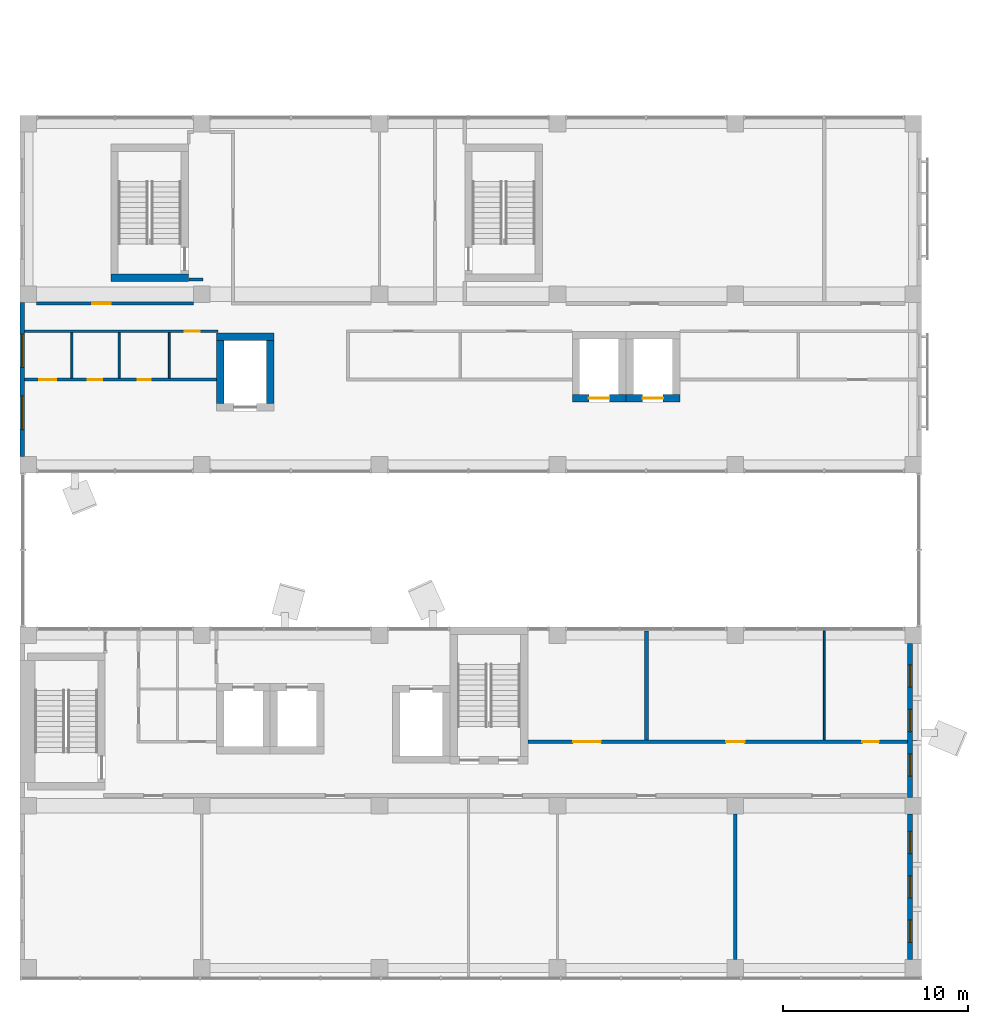
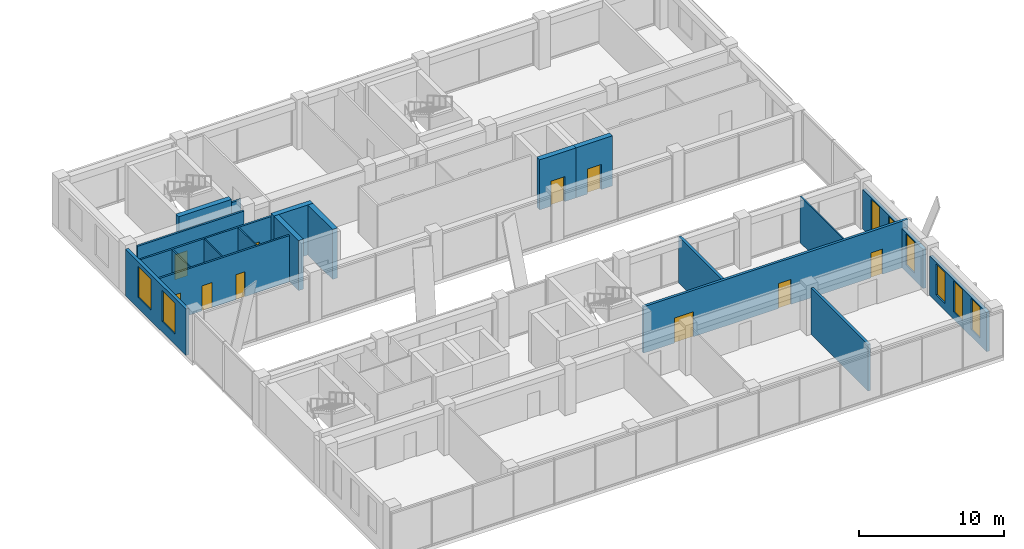
# One storey, part 28 of 36: 20 walls, 10 doors, 8 windows, 18 openings.
"""IFC4 building model written with IfcOpenShell, lengths in metres."""

from ifc_helpers import new_model, si_unit, direction, frame, frame_2d, origin, place, context, subcontext, project, spatial, rectangle, extrude, material, layer, layer_set, layer_usage, type_object, element, fill, save


model = new_model("IFC4")

# Units and contexts
model_context = context("Model", 3, precision=1e-05, world=origin(), true_north=direction((0.0, 1.0)))
body_context = subcontext(model_context, "Body", "Model", "MODEL_VIEW")
ifc_project = project(units=[si_unit("LENGTHUNIT", "METRE"), si_unit("AREAUNIT", "SQUARE_METRE"), si_unit("VOLUMEUNIT", "CUBIC_METRE"), si_unit("PLANEANGLEUNIT", "RADIAN"), si_unit("MASSUNIT", "GRAM", prefix="KILO")], contexts=[model_context])

# Site, building, storey
site_placement = place(None, origin())
site = spatial("IfcSite", under=ifc_project, at=site_placement, CompositionType="ELEMENT")
building_placement = place(site_placement, origin())
building = spatial("IfcBuilding", under=site, at=building_placement, Name="Nzadi Deep Aquarium and Research Tower", CompositionType="ELEMENT")
storey_placement = place(building_placement, frame((0.0, 0.0, 44.5)))
storey = spatial("IfcBuildingStorey", under=building, at=storey_placement, Name="L08", CompositionType="ELEMENT", Elevation=44.5)

# Wall, openings, windows
ifc_material_1 = material(Name="Concrete C35/45", Category="concrete")
ifc_layer_1 = layer(ifc_material_1, 0.14990234375, Category="cladding")
ifc_material_2 = material(Name="Mineral wool insulation")
ifc_layer_2 = layer(ifc_material_2, 0.070068359375, Category="insulation")
ifc_material_3 = material(Name="Gypsum board lining")
ifc_layer_3 = layer(ifc_material_3, 0.030029296875, Category="lining")
ifc_layer_set_1 = layer_set([ifc_layer_1, ifc_layer_2, ifc_layer_3], Name="Concrete C35/45, Mineral wool insulation, Gypsum board lining")
ifc_layer_usage_1 = layer_usage(ifc_layer_set_1, "AXIS2", "POSITIVE", -0.125)
wall_type_1 = type_object("IfcWallType", Name="End wall board-formed concrete 250, 3.30 m high", PredefinedType="ELEMENTEDWALL", material=ifc_layer_set_1)
wall_1_placement = place(storey_placement, frame((47.824951171875, 9.64990234375, 0.0), z_axis=(0.0, 0.0, 1.0), x_axis=(0.0, 1.0, 0.0)))
wall_1 = element("IfcWall", 1, at=wall_1_placement, inside=storey, type_object=wall_type_1, material=ifc_layer_usage_1, Name="End wall blade A east L08", PredefinedType="ELEMENTEDWALL", context=body_context, shape_type="SweptSolid", body=[
    extrude(rectangle(XDim=8.300048828125, YDim=0.25, at=frame_2d((4.14990234375, 0.0))), origin(), (0.0, 0.0, 1.0), 3.300048828125),
])
opening_1_placement = place(wall_1_placement, frame((1.14990234375, 0.0, 0.60009765625)))
opening_1 = element("IfcOpeningElement", 2, at=opening_1_placement, cuts=wall_1, Name="Opening WN05", PredefinedType="OPENING", context=body_context, shape_type="SweptSolid", body=[
    extrude(rectangle(XDim=1.199951171875, YDim=2.60009765625, at=frame_2d((0.60009765625, 1.300048828125))), frame((0.0, 0.135009765625, 0.0), z_axis=(0.0, -1.0, 0.0), x_axis=(1.0, 0.0, 0.0)), (0.0, 0.0, 1.0), 0.27001953125),
])
opening_2_placement = place(wall_1_placement, frame((3.550048828125, 0.0, 0.60009765625)))
opening_2 = element("IfcOpeningElement", 3, at=opening_2_placement, cuts=wall_1, Name="Opening WN05", PredefinedType="OPENING", context=body_context, shape_type="SweptSolid", body=[
    extrude(rectangle(XDim=1.199951171875, YDim=2.60009765625, at=frame_2d((0.60009765625, 1.300048828125))), frame((0.0, 0.135009765625, 0.0), z_axis=(0.0, -1.0, 0.0), x_axis=(1.0, 0.0, 0.0)), (0.0, 0.0, 1.0), 0.27001953125),
])
opening_3_placement = place(wall_1_placement, frame((5.949951171875, 0.0, 0.60009765625)))
opening_3 = element("IfcOpeningElement", 4, at=opening_3_placement, cuts=wall_1, Name="Opening WN05", PredefinedType="OPENING", context=body_context, shape_type="SweptSolid", body=[
    extrude(rectangle(XDim=1.199951171875, YDim=2.60009765625, at=frame_2d((0.60009765625, 1.300048828125))), frame((0.0, 0.135009765625, 0.0), z_axis=(0.0, -1.0, 0.0), x_axis=(1.0, 0.0, 0.0)), (0.0, 0.0, 1.0), 0.27001953125),
])
ifc_material_4 = material(Name="Aluminium window, sage tint glazing", Category="aluminium")
window_type_1 = type_object("IfcWindowType", Name="Slot window 1200x2600 sill 600", PartitioningType="SINGLE_PANEL", PredefinedType="WINDOW", material=ifc_material_4)
window_1_placement = place(opening_1_placement, origin())
window_1 = element("IfcWindow", 5, at=window_1_placement, inside=storey, type_object=window_type_1, Name="Slot window L08 AE", OverallHeight=2.60009765625, OverallWidth=1.199951171875, PartitioningType="SINGLE_PANEL", PredefinedType="WINDOW", context=body_context, shape_type="SweptSolid", body=[
    extrude(rectangle(XDim=1.199951171875, YDim=2.60009765625, at=frame_2d((0.60009765625, 1.300048828125))), frame((0.0, 0.030029296875, 0.0), z_axis=(0.0, -1.0, 0.0), x_axis=(1.0, 0.0, 0.0)), (0.0, 0.0, 1.0), 0.06005859375),
])
fill(opening_1, window_1)
window_2_placement = place(opening_2_placement, origin())
window_2 = element("IfcWindow", 6, at=window_2_placement, inside=storey, type_object=window_type_1, Name="Slot window L08 AE", OverallHeight=2.60009765625, OverallWidth=1.199951171875, PartitioningType="SINGLE_PANEL", PredefinedType="WINDOW", context=body_context, shape_type="SweptSolid", body=[
    extrude(rectangle(XDim=1.199951171875, YDim=2.60009765625, at=frame_2d((0.60009765625, 1.300048828125))), frame((0.0, 0.030029296875, 0.0), z_axis=(0.0, -1.0, 0.0), x_axis=(1.0, 0.0, 0.0)), (0.0, 0.0, 1.0), 0.06005859375),
])
fill(opening_2, window_2)
window_3_placement = place(opening_3_placement, origin())
window_3 = element("IfcWindow", 7, at=window_3_placement, inside=storey, type_object=window_type_1, Name="Slot window L08 AE", OverallHeight=2.60009765625, OverallWidth=1.199951171875, PartitioningType="SINGLE_PANEL", PredefinedType="WINDOW", context=body_context, shape_type="SweptSolid", body=[
    extrude(rectangle(XDim=1.199951171875, YDim=2.60009765625, at=frame_2d((0.60009765625, 1.300048828125))), frame((0.0, 0.030029296875, 0.0), z_axis=(0.0, -1.0, 0.0), x_axis=(1.0, 0.0, 0.0)), (0.0, 0.0, 1.0), 0.06005859375),
])
fill(opening_3, window_3)

ifc_material_5 = material(Name="Graphite aluminium shingle", Category="aluminium")
ifc_layer_4 = layer(ifc_material_5, 0.050048828125, Category="cladding")
ifc_layer_5 = layer(ifc_material_1, 0.10009765625, Category="cladding")
ifc_layer_6 = layer(ifc_material_2, 0.070068359375, Category="insulation")
ifc_layer_7 = layer(ifc_material_3, 0.030029296875, Category="lining")
ifc_layer_set_2 = layer_set([ifc_layer_4, ifc_layer_5, ifc_layer_6, ifc_layer_7], Name="Graphite aluminium shingle, Concrete C35/45, Mineral wool insulation, Gypsum board lining")
ifc_layer_usage_2 = layer_usage(ifc_layer_set_2, "AXIS2", "POSITIVE", -0.125)
wall_type_2 = type_object("IfcWallType", Name="End wall shingle over board-formed concrete 250", PredefinedType="ELEMENTEDWALL", material=ifc_layer_set_2)
wall_2_placement = place(storey_placement, frame((-0.074462890625, 36.35009765625, 0.0), z_axis=(0.0, 0.0, 1.0), x_axis=(0.0, -1.0, 0.0)))
wall_2 = element("IfcWall", 8, at=wall_2_placement, inside=storey, type_object=wall_type_2, material=ifc_layer_usage_2, Name="End wall blade B west L08", PredefinedType="ELEMENTEDWALL", context=body_context, shape_type="SweptSolid", body=[
    extrude(rectangle(XDim=8.300048828125, YDim=0.25, at=frame_2d((4.14990234375, 0.0))), origin(), (0.0, 0.0, 1.0), 3.89990234375),
])
opening_4_placement = place(wall_2_placement, frame((5.050048828125, 0.0, 0.89990234375)))
opening_4 = element("IfcOpeningElement", 9, at=opening_4_placement, cuts=wall_2, Name="Opening WN01", PredefinedType="OPENING", context=body_context, shape_type="SweptSolid", body=[
    extrude(rectangle(XDim=1.800048828125, YDim=2.60009765625, at=frame_2d((0.89990234375, 1.300048828125))), frame((0.0, 0.135009765625, 0.0), z_axis=(0.0, -1.0, 0.0), x_axis=(1.0, 0.0, 0.0)), (0.0, 0.0, 1.0), 0.27001953125),
])
opening_5_placement = place(wall_2_placement, frame((1.699951171875, 0.0, 0.89990234375)))
opening_5 = element("IfcOpeningElement", 10, at=opening_5_placement, cuts=wall_2, Name="Opening WN01", PredefinedType="OPENING", context=body_context, shape_type="SweptSolid", body=[
    extrude(rectangle(XDim=1.800048828125, YDim=2.60009765625, at=frame_2d((0.89990234375, 1.300048828125))), frame((0.0, 0.135009765625, 0.0), z_axis=(0.0, -1.0, 0.0), x_axis=(1.0, 0.0, 0.0)), (0.0, 0.0, 1.0), 0.27001953125),
])
ifc_material_6 = material(Name="Aluminium window, sage tint glazing", Category="aluminium")
window_type_2 = type_object("IfcWindowType", Name="Slot window 1800x2600 sill 900", PartitioningType="SINGLE_PANEL", PredefinedType="WINDOW", material=ifc_material_6)
window_4_placement = place(opening_4_placement, origin())
window_4 = element("IfcWindow", 11, at=window_4_placement, inside=storey, type_object=window_type_2, Name="Slot window L08 BW", OverallHeight=2.60009765625, OverallWidth=1.800048828125, PartitioningType="SINGLE_PANEL", PredefinedType="WINDOW", context=body_context, shape_type="SweptSolid", body=[
    extrude(rectangle(XDim=1.800048828125, YDim=2.60009765625, at=frame_2d((0.89990234375, 1.300048828125))), frame((0.0, 0.030029296875, 0.0), z_axis=(0.0, -1.0, 0.0), x_axis=(1.0, 0.0, 0.0)), (0.0, 0.0, 1.0), 0.06005859375),
])
fill(opening_4, window_4)
window_5_placement = place(opening_5_placement, origin())
window_5 = element("IfcWindow", 12, at=window_5_placement, inside=storey, type_object=window_type_2, Name="Slot window L08 BW", OverallHeight=2.60009765625, OverallWidth=1.800048828125, PartitioningType="SINGLE_PANEL", PredefinedType="WINDOW", context=body_context, shape_type="SweptSolid", body=[
    extrude(rectangle(XDim=1.800048828125, YDim=2.60009765625, at=frame_2d((0.89990234375, 1.300048828125))), frame((0.0, 0.030029296875, 0.0), z_axis=(0.0, -1.0, 0.0), x_axis=(1.0, 0.0, 0.0)), (0.0, 0.0, 1.0), 0.06005859375),
])
fill(opening_5, window_5)

ifc_layer_8 = layer(ifc_material_5, 0.050048828125, Category="cladding")
ifc_layer_9 = layer(ifc_material_1, 0.10009765625, Category="cladding")
ifc_layer_10 = layer(ifc_material_2, 0.070068359375, Category="insulation")
ifc_layer_11 = layer(ifc_material_3, 0.030029296875, Category="lining")
ifc_layer_set_3 = layer_set([ifc_layer_8, ifc_layer_9, ifc_layer_10, ifc_layer_11], Name="Graphite aluminium shingle, Concrete C35/45, Mineral wool insulation, Gypsum board lining")
ifc_layer_usage_3 = layer_usage(ifc_layer_set_3, "AXIS2", "POSITIVE", -0.125)
wall_type_3 = type_object("IfcWallType", Name="End wall shingle over board-formed concrete 250, 3.30 m high", PredefinedType="ELEMENTEDWALL", material=ifc_layer_set_3)
wall_3_placement = place(storey_placement, frame((47.824951171875, 0.89990234375, 0.0), z_axis=(0.0, 0.0, 1.0), x_axis=(0.0, 1.0, 0.0)))
wall_3 = element("IfcWall", 13, at=wall_3_placement, inside=storey, type_object=wall_type_3, material=ifc_layer_usage_3, Name="End wall blade A east L08", PredefinedType="ELEMENTEDWALL", context=body_context, shape_type="SweptSolid", body=[
    extrude(rectangle(XDim=7.85009765625, YDim=0.25, at=frame_2d((3.925048828125, 0.0))), origin(), (0.0, 0.0, 1.0), 3.300048828125),
])
opening_6_placement = place(wall_3_placement, frame((0.925048828125, 0.0, 0.60009765625)))
opening_6 = element("IfcOpeningElement", 14, at=opening_6_placement, cuts=wall_3, Name="Opening WN05", PredefinedType="OPENING", context=body_context, shape_type="SweptSolid", body=[
    extrude(rectangle(XDim=1.199951171875, YDim=2.60009765625, at=frame_2d((0.60009765625, 1.300048828125))), frame((0.0, 0.135009765625, 0.0), z_axis=(0.0, -1.0, 0.0), x_axis=(1.0, 0.0, 0.0)), (0.0, 0.0, 1.0), 0.27001953125),
])
opening_7_placement = place(wall_3_placement, frame((3.324951171875, 0.0, 0.60009765625)))
opening_7 = element("IfcOpeningElement", 15, at=opening_7_placement, cuts=wall_3, Name="Opening WN05", PredefinedType="OPENING", context=body_context, shape_type="SweptSolid", body=[
    extrude(rectangle(XDim=1.199951171875, YDim=2.60009765625, at=frame_2d((0.60009765625, 1.300048828125))), frame((0.0, 0.135009765625, 0.0), z_axis=(0.0, -1.0, 0.0), x_axis=(1.0, 0.0, 0.0)), (0.0, 0.0, 1.0), 0.27001953125),
])
opening_8_placement = place(wall_3_placement, frame((5.72509765625, 0.0, 0.60009765625)))
opening_8 = element("IfcOpeningElement", 16, at=opening_8_placement, cuts=wall_3, Name="Opening WN05", PredefinedType="OPENING", context=body_context, shape_type="SweptSolid", body=[
    extrude(rectangle(XDim=1.199951171875, YDim=2.60009765625, at=frame_2d((0.60009765625, 1.300048828125))), frame((0.0, 0.135009765625, 0.0), z_axis=(0.0, -1.0, 0.0), x_axis=(1.0, 0.0, 0.0)), (0.0, 0.0, 1.0), 0.27001953125),
])
window_6_placement = place(opening_6_placement, origin())
window_6 = element("IfcWindow", 17, at=window_6_placement, inside=storey, type_object=window_type_1, Name="Slot window L08 AE", OverallHeight=2.60009765625, OverallWidth=1.199951171875, PartitioningType="SINGLE_PANEL", PredefinedType="WINDOW", context=body_context, shape_type="SweptSolid", body=[
    extrude(rectangle(XDim=1.199951171875, YDim=2.60009765625, at=frame_2d((0.60009765625, 1.300048828125))), frame((0.0, 0.030029296875, 0.0), z_axis=(0.0, -1.0, 0.0), x_axis=(1.0, 0.0, 0.0)), (0.0, 0.0, 1.0), 0.06005859375),
])
fill(opening_6, window_6)
window_7_placement = place(opening_7_placement, origin())
window_7 = element("IfcWindow", 18, at=window_7_placement, inside=storey, type_object=window_type_1, Name="Slot window L08 AE", OverallHeight=2.60009765625, OverallWidth=1.199951171875, PartitioningType="SINGLE_PANEL", PredefinedType="WINDOW", context=body_context, shape_type="SweptSolid", body=[
    extrude(rectangle(XDim=1.199951171875, YDim=2.60009765625, at=frame_2d((0.60009765625, 1.300048828125))), frame((0.0, 0.030029296875, 0.0), z_axis=(0.0, -1.0, 0.0), x_axis=(1.0, 0.0, 0.0)), (0.0, 0.0, 1.0), 0.06005859375),
])
fill(opening_7, window_7)
window_8_placement = place(opening_8_placement, origin())
window_8 = element("IfcWindow", 19, at=window_8_placement, inside=storey, type_object=window_type_1, Name="Slot window L08 AE", OverallHeight=2.60009765625, OverallWidth=1.199951171875, PartitioningType="SINGLE_PANEL", PredefinedType="WINDOW", context=body_context, shape_type="SweptSolid", body=[
    extrude(rectangle(XDim=1.199951171875, YDim=2.60009765625, at=frame_2d((0.60009765625, 1.300048828125))), frame((0.0, 0.030029296875, 0.0), z_axis=(0.0, -1.0, 0.0), x_axis=(1.0, 0.0, 0.0)), (0.0, 0.0, 1.0), 0.06005859375),
])
fill(opening_8, window_8)

# Walls
ifc_material_7 = material(Name="Blockwork masonry", Category="masonry")
ifc_layer_12 = layer(ifc_material_7, 0.10009765625)
ifc_layer_set_4 = layer_set([ifc_layer_12], Name="Blockwork masonry")
wall_type_4 = type_object("IfcWallType", Name="Partition 100 EI 30", PredefinedType="PARTITIONING", material=ifc_layer_set_4)
for number, where, z_axis, x_axis, name in (
    (20, (2.60009765625, 32.27490234375, 0.0), (0.0, 0.0, 1.0), (0.0, 1.0, 0.0), "W-Z1-L08-P004"),
    (21, (5.14990234375, 32.27490234375, 0.0), (0.0, 0.0, 1.0), (0.0, 1.0, 0.0), "W-Z1-L08-P007"),
    (22, (7.85009765625, 32.27490234375, 0.0), (0.0, 0.0, 1.0), (0.0, 1.0, 0.0), "W-Z1-L08-P011"),
):
    element("IfcWall", number, at=place(storey_placement, frame(where, z_axis=z_axis, x_axis=x_axis)), inside=storey, type_object=wall_type_4, Name=name, PredefinedType="PARTITIONING", context=body_context, shape_type="SweptSolid", body=[
        extrude(rectangle(XDim=2.4501953125, YDim=0.10009765625, at=frame_2d((1.22509765625, 0.0))), origin(), (0.0, 0.0, 1.0), 3.89990234375),
    ])
wall_4_placement = place(storey_placement, frame((43.199951171875, 12.75, 0.0), z_axis=(0.0, 0.0, 1.0), x_axis=(0.0, 1.0, 0.0)))
element("IfcWall", 23, at=wall_4_placement, inside=storey, type_object=wall_type_4, Name="W-Z1-L08-P043", PredefinedType="PARTITIONING", context=body_context, shape_type="SweptSolid", body=[
    extrude(rectangle(XDim=5.89404296875, YDim=0.10009765625, at=frame_2d((2.947021484375, 0.0))), origin(), (0.0, 0.0, 1.0), 3.89990234375),
])

# Wall, openings, doors
ifc_material_8 = material(Name="Blockwork masonry", Category="masonry")
ifc_layer_13 = layer(ifc_material_8, 0.14990234375)
ifc_layer_set_5 = layer_set([ifc_layer_13], Name="Blockwork masonry")
wall_type_5 = type_object("IfcWallType", Name="Partition 150 EI 60", PredefinedType="PARTITIONING", material=ifc_layer_set_5)
wall_5_placement = place(storey_placement, frame((0.055908203125, 32.199951171875, 0.0), z_axis=(0.0, 0.0, 1.0), x_axis=(1.0, 0.0, 0.0)))
wall_5 = element("IfcWall", 24, at=wall_5_placement, inside=storey, type_object=wall_type_5, Name="W-Z1-L08-P001", PredefinedType="PARTITIONING", context=body_context, shape_type="SweptSolid", body=[
    extrude(rectangle(XDim=10.338134765625, YDim=0.14990234375, at=frame_2d((5.1689453125, 0.0))), origin(), (0.0, 0.0, 1.0), 3.89990234375),
])
opening_9_placement = place(wall_5_placement, frame((0.7939453125, 0.0, 0.0)))
opening_9 = element("IfcOpeningElement", 25, at=opening_9_placement, cuts=wall_5, Name="Opening D091014", PredefinedType="OPENING", context=body_context, shape_type="SweptSolid", body=[
    extrude(rectangle(XDim=0.89990234375, YDim=2.10009765625, at=frame_2d((0.449951171875, 1.050048828125))), frame((0.0, 0.0849609375, 0.0), z_axis=(0.0, -1.0, 0.0), x_axis=(1.0, 0.0, 0.0)), (0.0, 0.0, 1.0), 0.169921875),
])
opening_10_placement = place(wall_5_placement, frame((3.39404296875, 0.0, 0.0)))
opening_10 = element("IfcOpeningElement", 26, at=opening_10_placement, cuts=wall_5, Name="Opening D091015", PredefinedType="OPENING", context=body_context, shape_type="SweptSolid", body=[
    extrude(rectangle(XDim=0.800048828125, YDim=2.10009765625, at=frame_2d((0.39990234375, 1.050048828125))), frame((0.0, 0.0849609375, 0.0), z_axis=(0.0, -1.0, 0.0), x_axis=(1.0, 0.0, 0.0)), (0.0, 0.0, 1.0), 0.169921875),
])
opening_11_placement = place(wall_5_placement, frame((6.093994140625, 0.0, 0.0)))
opening_11 = element("IfcOpeningElement", 27, at=opening_11_placement, cuts=wall_5, Name="Opening D091016", PredefinedType="OPENING", context=body_context, shape_type="SweptSolid", body=[
    extrude(rectangle(XDim=0.699951171875, YDim=2.10009765625, at=frame_2d((0.35009765625, 1.050048828125))), frame((0.0, 0.0849609375, 0.0), z_axis=(0.0, -1.0, 0.0), x_axis=(1.0, 0.0, 0.0)), (0.0, 0.0, 1.0), 0.169921875),
])
ifc_material_9 = material(Name="Fire-rated steel door", Category="steel")
ifc_layer_14 = layer(ifc_material_9, 0.050048828125)
ifc_layer_set_6 = layer_set([ifc_layer_14], Name="Fire-rated steel door")
door_type_1 = type_object("IfcDoorType", Name="Door 700x2100 EI 60 single", OperationType="SINGLE_SWING_LEFT", PredefinedType="DOOR", material=ifc_layer_set_6)
door_1_placement = place(opening_11_placement, origin())
door_1 = element("IfcDoor", 28, at=door_1_placement, inside=storey, type_object=door_type_1, Name="D091016", OperationType="SINGLE_SWING_RIGHT", OverallHeight=2.10009765625, OverallWidth=0.699951171875, PredefinedType="DOOR", context=body_context, shape_type="SweptSolid", body=[
    extrude(rectangle(XDim=0.699951171875, YDim=2.10009765625, at=frame_2d((0.35009765625, 1.050048828125))), frame((0.0, 0.02490234375, 0.0), z_axis=(0.0, -1.0, 0.0), x_axis=(1.0, 0.0, 0.0)), (0.0, 0.0, 1.0), 0.050048828125),
])
fill(opening_11, door_1)
ifc_material_10 = material(Name="Fire-rated steel door", Category="steel")
ifc_layer_15 = layer(ifc_material_10, 0.050048828125)
ifc_layer_set_7 = layer_set([ifc_layer_15], Name="Fire-rated steel door")
door_type_2 = type_object("IfcDoorType", Name="Door 800x2100 EI 60 single", OperationType="SINGLE_SWING_LEFT", PredefinedType="DOOR", material=ifc_layer_set_7)
door_2_placement = place(opening_10_placement, origin())
door_2 = element("IfcDoor", 29, at=door_2_placement, inside=storey, type_object=door_type_2, Name="D091015", OperationType="SINGLE_SWING_RIGHT", OverallHeight=2.10009765625, OverallWidth=0.800048828125, PredefinedType="DOOR", context=body_context, shape_type="SweptSolid", body=[
    extrude(rectangle(XDim=0.800048828125, YDim=2.10009765625, at=frame_2d((0.39990234375, 1.050048828125))), frame((0.0, 0.02490234375, 0.0), z_axis=(0.0, -1.0, 0.0), x_axis=(1.0, 0.0, 0.0)), (0.0, 0.0, 1.0), 0.050048828125),
])
fill(opening_10, door_2)
ifc_material_11 = material(Name="Fire-rated steel door", Category="steel")
ifc_layer_16 = layer(ifc_material_11, 0.050048828125)
ifc_layer_set_8 = layer_set([ifc_layer_16], Name="Fire-rated steel door")
door_type_3 = type_object("IfcDoorType", Name="Door 900x2100 EI 60 single", OperationType="SINGLE_SWING_LEFT", PredefinedType="DOOR", material=ifc_layer_set_8)
door_3_placement = place(opening_9_placement, origin())
door_3 = element("IfcDoor", 30, at=door_3_placement, inside=storey, type_object=door_type_3, Name="D091014", OperationType="SINGLE_SWING_RIGHT", OverallHeight=2.10009765625, OverallWidth=0.89990234375, PredefinedType="DOOR", context=body_context, shape_type="SweptSolid", body=[
    extrude(rectangle(XDim=0.89990234375, YDim=2.10009765625, at=frame_2d((0.449951171875, 1.050048828125))), frame((0.0, 0.02490234375, 0.0), z_axis=(0.0, -1.0, 0.0), x_axis=(1.0, 0.0, 0.0)), (0.0, 0.0, 1.0), 0.050048828125),
])
fill(opening_9, door_3)

# Wall, opening, door
wall_6_placement = place(storey_placement, frame((0.055908203125, 34.800048828125, 0.0), z_axis=(0.0, 0.0, 1.0), x_axis=(1.0, 0.0, 0.0)))
wall_6 = element("IfcWall", 31, at=wall_6_placement, inside=storey, type_object=wall_type_5, Name="W-Z1-L08-P002", PredefinedType="PARTITIONING", context=body_context, shape_type="SweptSolid", body=[
    extrude(rectangle(XDim=10.419189453125, YDim=0.14990234375, at=frame_2d((5.20947265625, 0.0))), origin(), (0.0, 0.0, 1.0), 3.89990234375),
])
opening_12_placement = place(wall_6_placement, frame((8.64404296875, 0.0, 0.0)))
opening_12 = element("IfcOpeningElement", 32, at=opening_12_placement, cuts=wall_6, Name="Opening D091017", PredefinedType="OPENING", context=body_context, shape_type="SweptSolid", body=[
    extrude(rectangle(XDim=0.800048828125, YDim=2.10009765625, at=frame_2d((0.39990234375, 1.050048828125))), frame((0.0, 0.0849609375, 0.0), z_axis=(0.0, -1.0, 0.0), x_axis=(1.0, 0.0, 0.0)), (0.0, 0.0, 1.0), 0.169921875),
])
door_4_placement = place(opening_12_placement, origin())
door_4 = element("IfcDoor", 33, at=door_4_placement, inside=storey, type_object=door_type_2, Name="D091017", OperationType="SINGLE_SWING_LEFT", OverallHeight=2.10009765625, OverallWidth=0.800048828125, PredefinedType="DOOR", context=body_context, shape_type="SweptSolid", body=[
    extrude(rectangle(XDim=0.800048828125, YDim=2.10009765625, at=frame_2d((0.39990234375, 1.050048828125))), frame((0.0, 0.02490234375, 0.0), z_axis=(0.0, -1.0, 0.0), x_axis=(1.0, 0.0, 0.0)), (0.0, 0.0, 1.0), 0.050048828125),
])
fill(opening_12, door_4)

wall_7_placement = place(storey_placement, frame((0.699951171875, 36.300048828125, 0.0), z_axis=(0.0, 0.0, 1.0), x_axis=(1.0, 0.0, 0.0)))
wall_7 = element("IfcWall", 34, at=wall_7_placement, inside=storey, type_object=wall_type_5, Name="W-Z1-L08-P003", PredefinedType="PARTITIONING", context=body_context, shape_type="SweptSolid", body=[
    extrude(rectangle(XDim=8.449951171875, YDim=0.14990234375, at=frame_2d((4.22509765625, 0.0))), origin(), (0.0, 0.0, 1.0), 3.89990234375),
])
opening_13_placement = place(wall_7_placement, frame((3.0, 0.0, 0.0)))
opening_13 = element("IfcOpeningElement", 35, at=opening_13_placement, cuts=wall_7, Name="Opening D091022", PredefinedType="OPENING", context=body_context, shape_type="SweptSolid", body=[
    extrude(rectangle(XDim=1.0, YDim=2.10009765625, at=frame_2d((0.5, 1.050048828125))), frame((0.0, 0.0849609375, 0.0), z_axis=(0.0, -1.0, 0.0), x_axis=(1.0, 0.0, 0.0)), (0.0, 0.0, 1.0), 0.169921875),
])
ifc_material_12 = material(Name="Fire-rated steel door", Category="steel")
ifc_layer_17 = layer(ifc_material_12, 0.050048828125)
ifc_layer_set_9 = layer_set([ifc_layer_17], Name="Fire-rated steel door")
door_type_4 = type_object("IfcDoorType", Name="Door 1000x2100 EI 60 single", OperationType="SINGLE_SWING_LEFT", PredefinedType="DOOR", material=ifc_layer_set_9)
door_5_placement = place(opening_13_placement, origin())
door_5 = element("IfcDoor", 36, at=door_5_placement, inside=storey, type_object=door_type_4, Name="D091022", OperationType="SINGLE_SWING_RIGHT", OverallHeight=2.10009765625, OverallWidth=1.0, PredefinedType="DOOR", context=body_context, shape_type="SweptSolid", body=[
    extrude(rectangle(XDim=1.0, YDim=2.10009765625, at=frame_2d((0.5, 1.050048828125))), frame((0.0, 0.02490234375, 0.0), z_axis=(0.0, -1.0, 0.0), x_axis=(1.0, 0.0, 0.0)), (0.0, 0.0, 1.0), 0.050048828125),
])
fill(opening_13, door_5)

# Wall
wall_8_placement = place(storey_placement, frame((8.906005859375, 37.60009765625, 0.0), z_axis=(0.0, 0.0, 1.0), x_axis=(1.0, 0.0, 0.0)))
element("IfcWall", 37, at=wall_8_placement, inside=storey, type_object=wall_type_5, Name="W-Z1-L08-P016", PredefinedType="PARTITIONING", context=body_context, shape_type="SweptSolid", body=[
    extrude(rectangle(XDim=0.76904296875, YDim=0.14990234375, at=frame_2d((0.384521484375, 0.0))), origin(), (0.0, 0.0, 1.0), 3.89990234375),
])

# Wall, openings, doors
ifc_material_13 = material(Name="Blockwork masonry", Category="masonry")
ifc_layer_18 = layer(ifc_material_13, 0.199951171875)
ifc_layer_set_10 = layer_set([ifc_layer_18], Name="Blockwork masonry")
wall_type_6 = type_object("IfcWallType", Name="Partition 200 EI 120", PredefinedType="PARTITIONING", material=ifc_layer_set_10)
wall_9_placement = place(storey_placement, frame((27.2060546875, 12.64990234375, 0.0), z_axis=(0.0, 0.0, 1.0), x_axis=(1.0, 0.0, 0.0)))
wall_9 = element("IfcWall", 38, at=wall_9_placement, inside=storey, type_object=wall_type_6, Name="W-Z1-L08-P033", PredefinedType="PARTITIONING", context=body_context, shape_type="SweptSolid", body=[
    extrude(rectangle(XDim=20.988037109375, YDim=0.199951171875, at=frame_2d((10.494140625, 0.0))), origin(), (0.0, 0.0, 1.0), 3.89990234375),
])
opening_14_placement = place(wall_9_placement, frame((2.444091796875, 0.0, 0.0)))
opening_14 = element("IfcOpeningElement", 39, at=opening_14_placement, cuts=wall_9, Name="Opening D091011", PredefinedType="OPENING", context=body_context, shape_type="SweptSolid", body=[
    extrude(rectangle(XDim=1.5, YDim=2.10009765625, at=frame_2d((0.75, 1.050048828125))), frame((0.0, 0.110107421875, 0.0), z_axis=(0.0, -1.0, 0.0), x_axis=(1.0, 0.0, 0.0)), (0.0, 0.0, 1.0), 0.22021484375),
])
opening_15_placement = place(wall_9_placement, frame((10.694091796875, 0.0, 0.0)))
opening_15 = element("IfcOpeningElement", 40, at=opening_15_placement, cuts=wall_9, Name="Opening D091012", PredefinedType="OPENING", context=body_context, shape_type="SweptSolid", body=[
    extrude(rectangle(XDim=1.0, YDim=2.10009765625, at=frame_2d((0.5, 1.050048828125))), frame((0.0, 0.110107421875, 0.0), z_axis=(0.0, -1.0, 0.0), x_axis=(1.0, 0.0, 0.0)), (0.0, 0.0, 1.0), 0.22021484375),
])
opening_16_placement = place(wall_9_placement, frame((18.0439453125, 0.0, 0.0)))
opening_16 = element("IfcOpeningElement", 41, at=opening_16_placement, cuts=wall_9, Name="Opening D091013", PredefinedType="OPENING", context=body_context, shape_type="SweptSolid", body=[
    extrude(rectangle(XDim=0.89990234375, YDim=2.10009765625, at=frame_2d((0.449951171875, 1.050048828125))), frame((0.0, 0.110107421875, 0.0), z_axis=(0.0, -1.0, 0.0), x_axis=(1.0, 0.0, 0.0)), (0.0, 0.0, 1.0), 0.22021484375),
])
ifc_material_14 = material(Name="Fire-rated steel door", Category="steel")
ifc_layer_19 = layer(ifc_material_14, 0.050048828125)
ifc_layer_set_11 = layer_set([ifc_layer_19], Name="Fire-rated steel door")
door_type_5 = type_object("IfcDoorType", Name="Door 1000x2100 EI 120 single", OperationType="SINGLE_SWING_LEFT", PredefinedType="DOOR", material=ifc_layer_set_11)
door_6_placement = place(opening_15_placement, origin())
door_6 = element("IfcDoor", 42, at=door_6_placement, inside=storey, type_object=door_type_5, Name="D091012", OperationType="SINGLE_SWING_RIGHT", OverallHeight=2.10009765625, OverallWidth=1.0, PredefinedType="DOOR", context=body_context, shape_type="SweptSolid", body=[
    extrude(rectangle(XDim=1.0, YDim=2.10009765625, at=frame_2d((0.5, 1.050048828125))), frame((0.0, 0.02490234375, 0.0), z_axis=(0.0, -1.0, 0.0), x_axis=(1.0, 0.0, 0.0)), (0.0, 0.0, 1.0), 0.050048828125),
])
fill(opening_15, door_6)
ifc_material_15 = material(Name="Fire-rated steel door", Category="steel")
ifc_layer_20 = layer(ifc_material_15, 0.050048828125)
ifc_layer_set_12 = layer_set([ifc_layer_20], Name="Fire-rated steel door")
door_type_6 = type_object("IfcDoorType", Name="Door 1500x2100 EI 120 double", OperationType="DOUBLE_DOOR_SINGLE_SWING", PredefinedType="DOOR", material=ifc_layer_set_12)
door_7_placement = place(opening_14_placement, origin())
door_7 = element("IfcDoor", 43, at=door_7_placement, inside=storey, type_object=door_type_6, Name="D091011", OperationType="DOUBLE_DOOR_SINGLE_SWING", OverallHeight=2.10009765625, OverallWidth=1.5, PredefinedType="DOOR", context=body_context, shape_type="SweptSolid", body=[
    extrude(rectangle(XDim=1.5, YDim=2.10009765625, at=frame_2d((0.75, 1.050048828125))), frame((0.0, 0.02490234375, 0.0), z_axis=(0.0, -1.0, 0.0), x_axis=(1.0, 0.0, 0.0)), (0.0, 0.0, 1.0), 0.050048828125),
])
fill(opening_14, door_7)
ifc_material_16 = material(Name="Fire-rated steel door", Category="steel")
ifc_layer_21 = layer(ifc_material_16, 0.050048828125)
ifc_layer_set_13 = layer_set([ifc_layer_21], Name="Fire-rated steel door")
door_type_7 = type_object("IfcDoorType", Name="Door 900x2100 EI 120 single", OperationType="SINGLE_SWING_LEFT", PredefinedType="DOOR", material=ifc_layer_set_13)
door_8_placement = place(opening_16_placement, origin())
door_8 = element("IfcDoor", 44, at=door_8_placement, inside=storey, type_object=door_type_7, Name="D091013", OperationType="SINGLE_SWING_RIGHT", OverallHeight=2.10009765625, OverallWidth=0.89990234375, PredefinedType="DOOR", context=body_context, shape_type="SweptSolid", body=[
    extrude(rectangle(XDim=0.89990234375, YDim=2.10009765625, at=frame_2d((0.449951171875, 1.050048828125))), frame((0.0, 0.02490234375, 0.0), z_axis=(0.0, -1.0, 0.0), x_axis=(1.0, 0.0, 0.0)), (0.0, 0.0, 1.0), 0.050048828125),
])
fill(opening_16, door_8)

# Walls
wall_10_placement = place(storey_placement, frame((33.60009765625, 12.75, 0.0), z_axis=(0.0, 0.0, 1.0), x_axis=(0.0, 1.0, 0.0)))
element("IfcWall", 45, at=wall_10_placement, inside=storey, type_object=wall_type_6, Name="W-Z1-L08-P036", PredefinedType="PARTITIONING", context=body_context, shape_type="SweptSolid", body=[
    extrude(rectangle(XDim=5.89404296875, YDim=0.199951171875, at=frame_2d((2.947021484375, 0.0))), origin(), (0.0, 0.0, 1.0), 3.89990234375),
])
wall_11_placement = place(storey_placement, frame((38.39990234375, 0.89990234375, 0.0), z_axis=(0.0, 0.0, 1.0), x_axis=(0.0, 1.0, 0.0)))
element("IfcWall", 46, at=wall_11_placement, inside=storey, type_object=wall_type_6, Name="W-Z1-L08-P039", PredefinedType="PARTITIONING", context=body_context, shape_type="SweptSolid", body=[
    extrude(rectangle(XDim=7.85009765625, YDim=0.199951171875, at=frame_2d((3.925048828125, 0.0))), origin(), (0.0, 0.0, 1.0), 3.89990234375),
])
ifc_material_17 = material(Name="Concrete C35/45", Category="concrete")
ifc_layer_22 = layer(ifc_material_17, 0.39990234375)
ifc_layer_set_14 = layer_set([ifc_layer_22], Name="Concrete C35/45")
wall_type_7 = type_object("IfcWallType", Name="RC core wall 400", PredefinedType="SHEAR", material=ifc_layer_set_14)
wall_12_placement = place(storey_placement, frame((4.699951171875, 37.699951171875, 0.0), z_axis=(0.0, 0.0, 1.0), x_axis=(1.0, 0.0, 0.0)))
element("IfcWall", 47, at=wall_12_placement, inside=storey, type_object=wall_type_7, Name="W-CORE-ST-Z1-NW-L08-S", PredefinedType="SHEAR", context=body_context, shape_type="SweptSolid", body=[
    extrude(rectangle(XDim=4.199951171875, YDim=0.39990234375, at=frame_2d((2.10009765625, 0.0))), origin(), (0.0, 0.0, 1.0), 4.199951171875),
])
wall_13_placement = place(storey_placement, frame((10.39990234375, 34.5, 0.0), z_axis=(0.0, 0.0, 1.0), x_axis=(1.0, 0.0, 0.0)))
element("IfcWall", 48, at=wall_13_placement, inside=storey, type_object=wall_type_7, Name="W-CORE-FL2-L08-N", PredefinedType="SHEAR", context=body_context, shape_type="SweptSolid", body=[
    extrude(rectangle(XDim=3.10009765625, YDim=0.39990234375, at=frame_2d((1.550048828125, 0.0))), origin(), (0.0, 0.0, 1.0), 4.199951171875),
])
for number, where, z_axis, x_axis, name in (
    (49, (10.60009765625, 30.89990234375, 0.0), (0.0, 0.0, 1.0), (0.0, 1.0, 0.0), "W-CORE-FL2-L08-W"),
    (50, (13.300048828125, 30.89990234375, 0.0), (0.0, 0.0, 1.0), (0.0, 1.0, 0.0), "W-CORE-FL2-L08-E"),
):
    element("IfcWall", number, at=place(storey_placement, frame(where, z_axis=z_axis, x_axis=x_axis)), inside=storey, type_object=wall_type_7, Name=name, PredefinedType="SHEAR", context=body_context, shape_type="SweptSolid", body=[
        extrude(rectangle(XDim=3.400146484375, YDim=0.39990234375, at=frame_2d((1.7001953125, 0.0))), origin(), (0.0, 0.0, 1.0), 4.199951171875),
    ])

# Wall, opening, door
wall_14_placement = place(storey_placement, frame((29.60009765625, 31.199951171875, 0.0), z_axis=(0.0, 0.0, 1.0), x_axis=(1.0, 0.0, 0.0)))
wall_14 = element("IfcWall", 51, at=wall_14_placement, inside=storey, type_object=wall_type_7, Name="W-CORE-TL3-L08-S", PredefinedType="SHEAR", context=body_context, shape_type="SweptSolid", body=[
    extrude(rectangle(XDim=2.89990234375, YDim=0.39990234375, at=frame_2d((1.449951171875, 0.0))), origin(), (0.0, 0.0, 1.0), 4.199951171875),
])
opening_17_placement = place(wall_14_placement, frame((0.89990234375, 0.0, 0.0)))
opening_17 = element("IfcOpeningElement", 52, at=opening_17_placement, cuts=wall_14, Name="Opening LD-TL3-L08", PredefinedType="OPENING", context=body_context, shape_type="SweptSolid", body=[
    extrude(rectangle(XDim=1.10009765625, YDim=2.10009765625, at=frame_2d((0.550048828125, 1.050048828125))), frame((0.0, 0.2099609375, 0.0), z_axis=(0.0, -1.0, 0.0), x_axis=(1.0, 0.0, 0.0)), (0.0, 0.0, 1.0), 0.419921875),
])
ifc_material_18 = material(Name="Stainless steel 1.4301", Category="steel")
door_type_8 = type_object("IfcDoorType", Name="LANDING DOOR 1100x2100", OperationType="DOUBLE_DOOR_SLIDING", PredefinedType="DOOR", material=ifc_material_18)
door_9_placement = place(opening_17_placement, origin())
door_9 = element("IfcDoor", 53, at=door_9_placement, inside=storey, type_object=door_type_8, Name="Landing door TL3 L08", OperationType="DOUBLE_DOOR_SLIDING", OverallHeight=2.10009765625, OverallWidth=1.10009765625, PredefinedType="DOOR", context=body_context, shape_type="SweptSolid", body=[
    extrude(rectangle(XDim=1.10009765625, YDim=2.10009765625, at=frame_2d((0.550048828125, 1.050048828125))), frame((0.0, 0.02490234375, 0.0), z_axis=(0.0, -1.0, 0.0), x_axis=(1.0, 0.0, 0.0)), (0.0, 0.0, 1.0), 0.050048828125),
])
fill(opening_17, door_9)

wall_15_placement = place(storey_placement, frame((32.5, 31.199951171875, 0.0), z_axis=(0.0, 0.0, 1.0), x_axis=(1.0, 0.0, 0.0)))
wall_15 = element("IfcWall", 54, at=wall_15_placement, inside=storey, type_object=wall_type_7, Name="W-CORE-TL4-L08-S", PredefinedType="SHEAR", context=body_context, shape_type="SweptSolid", body=[
    extrude(rectangle(XDim=2.89990234375, YDim=0.39990234375, at=frame_2d((1.449951171875, 0.0))), origin(), (0.0, 0.0, 1.0), 4.199951171875),
])
opening_18_placement = place(wall_15_placement, frame((0.89990234375, 0.0, 0.0)))
opening_18 = element("IfcOpeningElement", 55, at=opening_18_placement, cuts=wall_15, Name="Opening LD-TL4-L08", PredefinedType="OPENING", context=body_context, shape_type="SweptSolid", body=[
    extrude(rectangle(XDim=1.10009765625, YDim=2.10009765625, at=frame_2d((0.550048828125, 1.050048828125))), frame((0.0, 0.2099609375, 0.0), z_axis=(0.0, -1.0, 0.0), x_axis=(1.0, 0.0, 0.0)), (0.0, 0.0, 1.0), 0.419921875),
])
door_10_placement = place(opening_18_placement, origin())
door_10 = element("IfcDoor", 56, at=door_10_placement, inside=storey, type_object=door_type_8, Name="Landing door TL4 L08", OperationType="DOUBLE_DOOR_SLIDING", OverallHeight=2.10009765625, OverallWidth=1.10009765625, PredefinedType="DOOR", context=body_context, shape_type="SweptSolid", body=[
    extrude(rectangle(XDim=1.10009765625, YDim=2.10009765625, at=frame_2d((0.550048828125, 1.050048828125))), frame((0.0, 0.02490234375, 0.0), z_axis=(0.0, -1.0, 0.0), x_axis=(1.0, 0.0, 0.0)), (0.0, 0.0, 1.0), 0.050048828125),
])
fill(opening_18, door_10)

save(model, "model.ifc")
